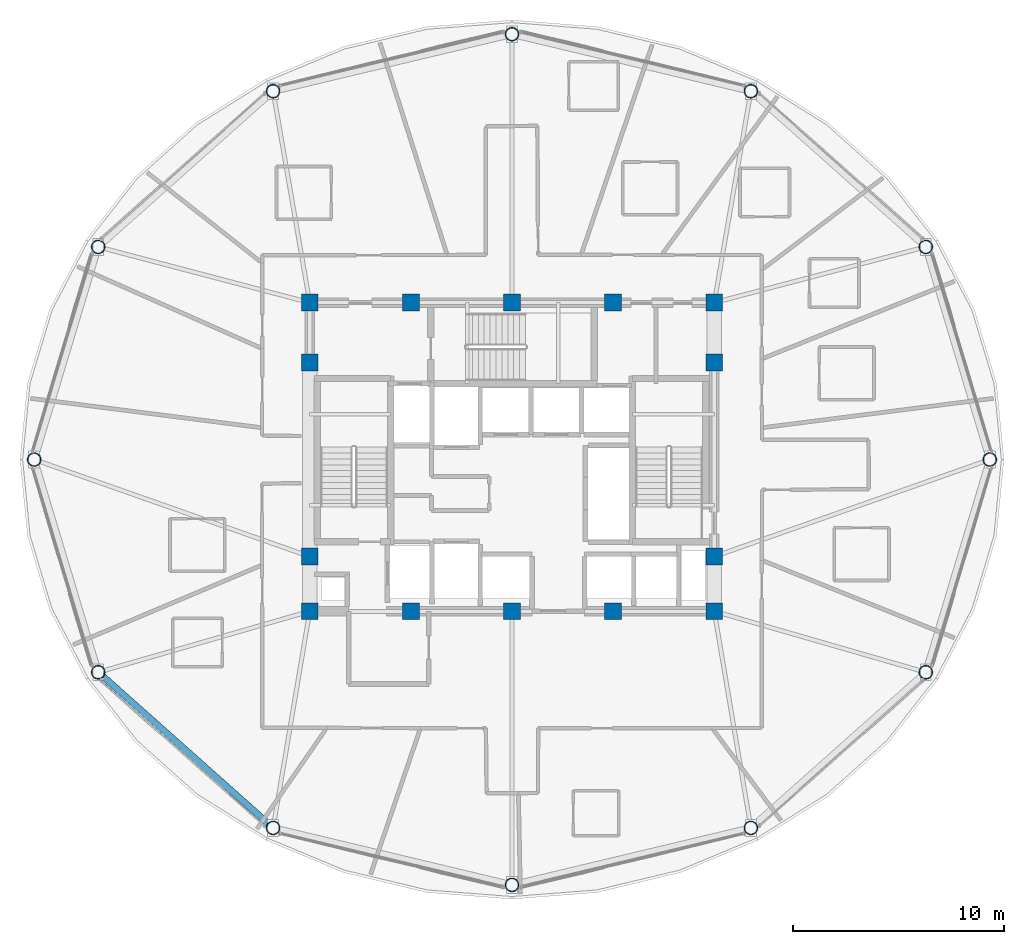
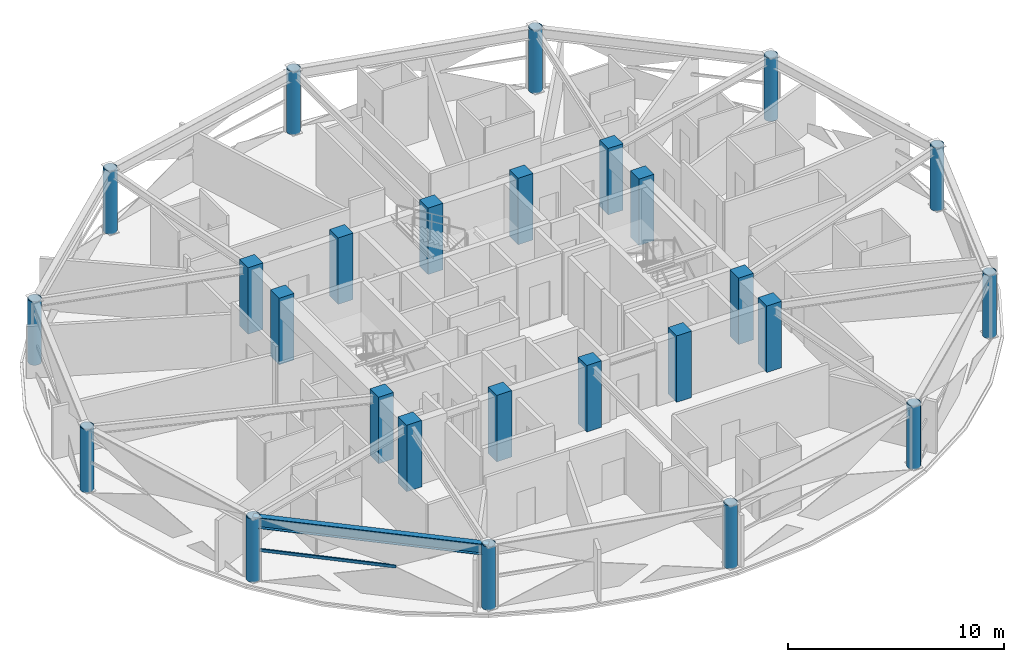
# One storey, part 1 of 30: 26 columns, 1 beam, 1 member, 1 element without a shape of its own.
"""IFC4 building model written with IfcOpenShell, lengths in metres."""

from ifc_helpers import new_model, si_unit, direction, frame, origin, origin_2d, place, context, subcontext, project, spatial, rectangle, hollow_rectangle, hollow_circle, i_section, extrude, material, layer, layer_set, material_profile, profile_set, type_object, element, aggregate, save


model = new_model("IFC4")

# Units and contexts
model_context = context("Model", 3, precision=1e-05, world=origin(), true_north=direction((0.0, 1.0)))
body_context = subcontext(model_context, "Body", "Model", "MODEL_VIEW")
ifc_project = project(units=[si_unit("LENGTHUNIT", "METRE"), si_unit("AREAUNIT", "SQUARE_METRE"), si_unit("VOLUMEUNIT", "CUBIC_METRE"), si_unit("PLANEANGLEUNIT", "RADIAN"), si_unit("MASSUNIT", "GRAM", prefix="KILO")], contexts=[model_context])

# Site, building, storey
site_placement = place(None, origin())
site = spatial("IfcSite", under=ifc_project, at=site_placement, CompositionType="ELEMENT")
building_placement = place(site_placement, origin())
building = spatial("IfcBuilding", under=site, at=building_placement, Name="Vantalir Tower", CompositionType="ELEMENT")
storey_placement = place(building_placement, frame((0.0, 0.0, 186.14990234375)))
storey = spatial("IfcBuildingStorey", under=building, at=storey_placement, Name="L46", CompositionType="ELEMENT", Elevation=186.14990234375)

# Columns
ifc_material_1 = material(Name="Concrete C50/60", Category="concrete")
ifc_material_profile_1 = material_profile(ifc_material_1, rectangle(XDim=0.800048828125, YDim=0.800048828125, at=origin_2d()), Name="Concrete C50/60")
ifc_profile_set_1 = profile_set([ifc_material_profile_1], Name="Concrete C50/60")
column_type_1 = type_object("IfcColumnType", Name="COL-CC-800", PredefinedType="COLUMN", material=ifc_profile_set_1)
for number, where, z_axis, x_axis, name in (
    (1, (21.89990234375, 17.800048828125, 0.0), (0.0, 0.0, 1.0), (1.0, 0.0, 0.0), "L46 Core Column CC01"),
    (2, (26.699951171875, 17.800048828125, 0.0), (0.0, 0.0, 1.0), (1.0, 0.0, 0.0), "L46 Core Column CC02"),
    (3, (31.5, 17.800048828125, 0.0), (0.0, 0.0, 1.0), (1.0, 0.0, 0.0), "L46 Core Column CC03"),
    (4, (36.300048828125, 17.800048828125, 0.0), (0.0, 0.0, 1.0), (1.0, 0.0, 0.0), "L46 Core Column CC04"),
    (5, (41.10009765625, 17.800048828125, 0.0), (0.0, 0.0, 1.0), (1.0, 0.0, 0.0), "L46 Core Column CC05"),
    (6, (21.89990234375, 20.39990234375, 0.0), (0.0, 0.0, 1.0), (1.0, 0.0, 0.0), "L46 Core Column CC06"),
    (7, (21.89990234375, 29.60009765625, 0.0), (0.0, 0.0, 1.0), (1.0, 0.0, 0.0), "L46 Core Column CC07"),
    (8, (41.10009765625, 20.39990234375, 0.0), (0.0, 0.0, 1.0), (1.0, 0.0, 0.0), "L46 Core Column CC08"),
    (9, (41.10009765625, 29.60009765625, 0.0), (0.0, 0.0, 1.0), (1.0, 0.0, 0.0), "L46 Core Column CC09"),
    (10, (21.89990234375, 32.449951171875, 0.0), (0.0, 0.0, 1.0), (1.0, 0.0, 0.0), "L46 Core Column CC10"),
    (11, (26.699951171875, 32.449951171875, 0.0), (0.0, 0.0, 1.0), (1.0, 0.0, 0.0), "L46 Core Column CC11"),
    (12, (31.5, 32.449951171875, 0.0), (0.0, 0.0, 1.0), (1.0, 0.0, 0.0), "L46 Core Column CC12"),
    (13, (36.300048828125, 32.449951171875, 0.0), (0.0, 0.0, 1.0), (1.0, 0.0, 0.0), "L46 Core Column CC13"),
    (14, (41.10009765625, 32.449951171875, 0.0), (0.0, 0.0, 1.0), (1.0, 0.0, 0.0), "L46 Core Column CC14"),
):
    element("IfcColumn", number, at=place(storey_placement, frame(where, z_axis=z_axis, x_axis=x_axis)), inside=storey, type_object=column_type_1, Name=name, PredefinedType="COLUMN", context=body_context, shape_type="SweptSolid", body=[
        extrude(rectangle(XDim=0.800048828125, YDim=0.800048828125, at=origin_2d()), origin(), (0.0, 0.0, 1.0), 3.75),
    ])
ifc_material_2 = material(Name="Steel S460", Category="steel")
ifc_material_profile_2 = material_profile(ifc_material_2, hollow_circle(Radius=0.324951171875, WallThickness=0.030029296875, at=origin_2d()), Name="Steel S460")
ifc_profile_set_2 = profile_set([ifc_material_profile_2], Name="Steel S460")
column_type_2 = type_object("IfcColumnType", Name="COL-RC-650", PredefinedType="COLUMN", material=ifc_profile_set_2)
for number, where, z_axis, x_axis, name in (
    (15, (54.176025390625, 25.0, 0.0), (0.0, 0.0, 1.0), (1.0, 0.0, 0.0), "L46 Perimeter Ring Column RC01"),
    (16, (51.137939453125, 35.093994140625, 0.0), (0.0, 0.0, 1.0), (1.0, 0.0, 0.0), "L46 Perimeter Ring Column RC02"),
    (17, (42.837890625, 42.48291015625, 0.0), (0.0, 0.0, 1.0), (1.0, 0.0, 0.0), "L46 Perimeter Ring Column RC03"),
    (18, (31.5, 45.18798828125, 0.0), (0.0, 0.0, 1.0), (1.0, 0.0, 0.0), "L46 Perimeter Ring Column RC04"),
    (19, (20.162109375, 42.48291015625, 0.0), (0.0, 0.0, 1.0), (1.0, 0.0, 0.0), "L46 Perimeter Ring Column RC05"),
    (20, (11.862060546875, 35.093994140625, 0.0), (0.0, 0.0, 1.0), (1.0, 0.0, 0.0), "L46 Perimeter Ring Column RC06"),
    (21, (8.823974609375, 25.0, 0.0), (0.0, 0.0, 1.0), (1.0, 0.0, 0.0), "L46 Perimeter Ring Column RC07"),
    (22, (11.862060546875, 14.906005859375, 0.0), (0.0, 0.0, 1.0), (1.0, 0.0, 0.0), "L46 Perimeter Ring Column RC08"),
    (23, (20.162109375, 7.51708984375, 0.0), (0.0, 0.0, 1.0), (1.0, 0.0, 0.0), "L46 Perimeter Ring Column RC09"),
    (24, (31.5, 4.81201171875, 0.0), (0.0, 0.0, 1.0), (1.0, 0.0, 0.0), "L46 Perimeter Ring Column RC10"),
    (25, (42.837890625, 7.51708984375, 0.0), (0.0, 0.0, 1.0), (1.0, 0.0, 0.0), "L46 Perimeter Ring Column RC11"),
    (26, (51.137939453125, 14.906005859375, 0.0), (0.0, 0.0, 1.0), (1.0, 0.0, 0.0), "L46 Perimeter Ring Column RC12"),
):
    element("IfcColumn", number, at=place(storey_placement, frame(where, z_axis=z_axis, x_axis=x_axis)), inside=storey, type_object=column_type_2, Name=name, PredefinedType="COLUMN", context=body_context, shape_type="SweptSolid", body=[
        extrude(hollow_circle(Radius=0.324951171875, WallThickness=0.030029296875, at=origin_2d()), origin(), (0.0, 0.0, 1.0), 3.570068359375),
    ])

# Beam
ifc_material_profile_3 = material_profile(ifc_material_2, i_section(OverallWidth=0.306884765625, OverallDepth=0.6201171875, WebThickness=0.01416015625, FlangeThickness=0.023681640625, at=origin_2d()), Name="Steel S460")
ifc_profile_set_3 = profile_set([ifc_material_profile_3], Name="Steel S460")
beam_type = type_object("IfcBeamType", Name="BM-RG-610x305", PredefinedType="USERDEFINED", material=ifc_profile_set_3)
beam_placement = place(storey_placement, frame((11.862060546875, 14.906005859375, 3.260009765625), z_axis=(0.746913346666, -0.664921388265, 0.0), x_axis=(0.664921388265, 0.746913346666, 0.0)))
element("IfcBeam", 27, at=beam_placement, inside=storey, type_object=beam_type, Name="L46 Circumferential Ring Girder 08", ObjectType="GIRDER", PredefinedType="USERDEFINED", context=body_context, shape_type="SweptSolid", body=[
    extrude(i_section(OverallWidth=0.306884765625, OverallDepth=0.6201171875, WebThickness=0.01416015625, FlangeThickness=0.023681640625, at=origin_2d()), origin(), (0.0, 0.0, 1.0), 11.112548828125),
])

# Curtain wall, member
ifc_material_3 = material(Name="Champagne-silver PVDF aluminium and double-silver Low-E glass", Category="aluminium")
ifc_layer = layer(ifc_material_3, 0.2099609375)
ifc_layer_set = layer_set([ifc_layer], Name="Champagne-silver PVDF aluminium and double-silver Low-E glass")
curtain_wall_type = type_object("IfcCurtainWallType", Name="CW-DIAMOND-Z3", PredefinedType="USERDEFINED", material=ifc_layer_set)
curtain_wall_placement = place(storey_placement, origin())
curtain_wall = element("IfcCurtainWall", 28, at=curtain_wall_placement, inside=storey, type_object=curtain_wall_type, Name="L46 Quilted Pyramid-Diamond Curtain Wall S08", ObjectType="UNITISED CURTAIN WALL", PredefinedType="USERDEFINED")
ifc_material_4 = material(Name="Champagne-silver PVDF aluminium 6063-T6", Category="aluminium")
ifc_material_profile_4 = material_profile(ifc_material_4, hollow_rectangle(XDim=0.074951171875, YDim=0.159912109375, WallThickness=0.00390625, at=origin_2d()), Name="Champagne-silver PVDF aluminium 6063-T6")
ifc_profile_set_4 = profile_set([ifc_material_profile_4], Name="Champagne-silver PVDF aluminium 6063-T6")
member_type = type_object("IfcMemberType", Name="CWT-160x75", PredefinedType="USERDEFINED", material=ifc_profile_set_4)
member_placement = place(storey_placement, frame((12.0029296875, 14.5380859375, 1.78515625), z_axis=(0.744119078161, -0.668047002475, 0.0), x_axis=(0.668047002475, 0.744119078161, 0.0)))
member = element("IfcMember", 29, at=member_placement, type_object=member_type, Name="CW-L46-S08 Pyramid Fold Ridge Transom", ObjectType="TRANSOM", PredefinedType="USERDEFINED", context=body_context, shape_type="SweptSolid", body=[
    extrude(hollow_rectangle(XDim=0.074951171875, YDim=0.159912109375, WallThickness=0.00390625, at=origin_2d()), origin(), (0.0, 0.0, 1.0), 6.441162109375),
])
aggregate(curtain_wall, [member])

save(model, "model.ifc")
